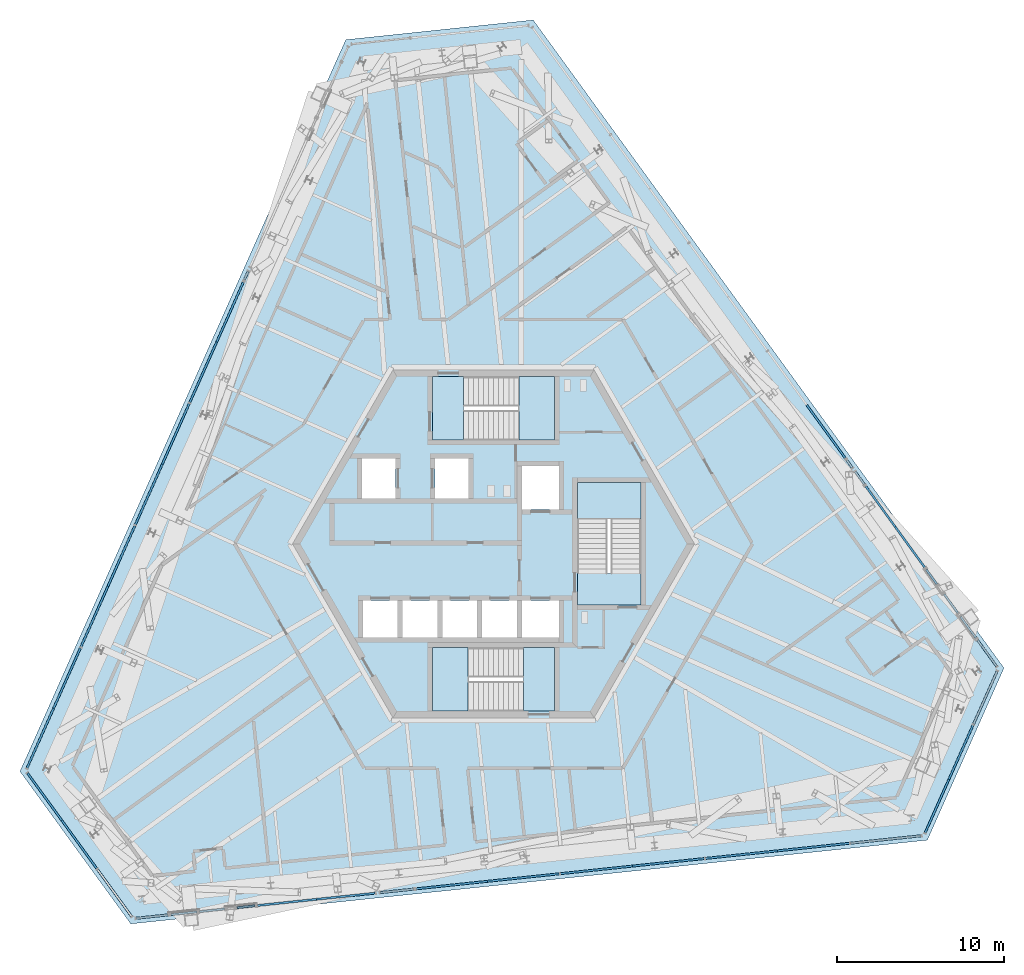
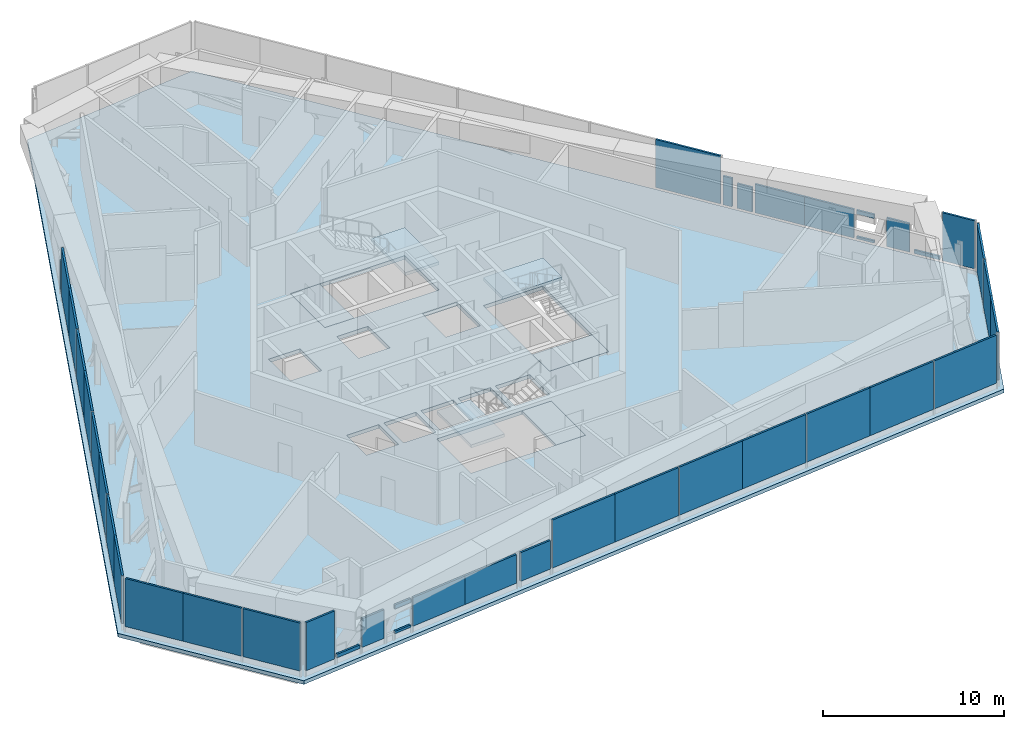
# One storey, part 11 of 23: 40 plates, 7 slabs, 24 elements without a shape of their own.
"""IFC4 building model written with IfcOpenShell, lengths in metres."""

from ifc_helpers import new_model, si_unit, direction, frame, origin, origin_2d, place, context, subcontext, project, spatial, polyline, rectangle, outline, extrude, source, transform, mapped, material, layer, layer_set, type_object, element, aggregate, save


model = new_model("IFC4")

# Units and contexts
model_context = context("Model", 3, precision=1e-05, world=origin(), true_north=direction((0.0, 1.0)))
body_context = subcontext(model_context, "Body", "Model", "MODEL_VIEW")
ifc_project = project(units=[si_unit("LENGTHUNIT", "METRE"), si_unit("AREAUNIT", "SQUARE_METRE"), si_unit("VOLUMEUNIT", "CUBIC_METRE"), si_unit("PLANEANGLEUNIT", "RADIAN"), si_unit("MASSUNIT", "GRAM", prefix="KILO")], contexts=[model_context])

# Site, building, storey
site_placement = place(None, origin())
site = spatial("IfcSite", under=ifc_project, at=site_placement, CompositionType="ELEMENT")
building_placement = place(site_placement, origin())
building = spatial("IfcBuilding", under=site, at=building_placement, Name="Triune Harvest Tower", CompositionType="ELEMENT")
storey_placement = place(building_placement, frame((0.0, 0.0, 255.699951171875)))
storey = spatial("IfcBuildingStorey", under=building, at=storey_placement, Name="L67", CompositionType="ELEMENT", Elevation=255.699951171875)

# Curtain wall, plate
ifc_material_1 = material(Name="Aluminium bronze anodised", Category="aluminium")
curtain_wall_type = type_object("IfcCurtainWallType", Name="CW-5 Plant louvre wall", PredefinedType="NOTDEFINED", material=ifc_material_1)
curtain_wall_1_placement = place(storey_placement, origin())
curtain_wall_1 = element("IfcCurtainWall", 1, at=curtain_wall_1_placement, inside=storey, type_object=curtain_wall_type, Name="CW-5 B6-F1 L67 run 1")
ifc_material_2 = material(Name="Aluminium bronze anodised", Category="aluminium")
ifc_layer_1 = layer(ifc_material_2, 0.1201171875)
ifc_layer_set_1 = layer_set([ifc_layer_1], Name="Aluminium bronze anodised")
plate_type = type_object("IfcPlateType", Name="GL-5 panel 120", PredefinedType="CURTAIN_PANEL", material=ifc_layer_set_1)
plate_1_placement = place(storey_placement, frame((29.468505859375, -6.52783203125, 0.39990234375), z_axis=(0.0, 0.0, 1.0), x_axis=(-0.587768744805, 0.809028987509, 0.0)))
plate_1 = element("IfcPlate", 2, at=plate_1_placement, type_object=plate_type, Name="CW-5 panel B6-F1 1.1", PredefinedType="CURTAIN_PANEL", context=body_context, shape_type="SweptSolid", body=[
    extrude(rectangle(XDim=1.935791015625, YDim=0.1201171875, at=origin_2d()), origin(), (0.0, 0.0, 1.0), 3.239990234375),
])
aggregate(curtain_wall_1, [plate_1])

curtain_wall_2_placement = place(storey_placement, origin())
curtain_wall_2 = element("IfcCurtainWall", 3, at=curtain_wall_2_placement, inside=storey, type_object=curtain_wall_type, Name="CW-5 B6-F1 L67 run 201")
plate_2_placement = place(storey_placement, frame((27.31689453125, -3.56640625, 0.39990234375), z_axis=(0.0, 0.0, 1.0), x_axis=(-0.587776008999, 0.80902370994, 0.0)))
plate_2 = element("IfcPlate", 4, at=plate_2_placement, type_object=plate_type, Name="CW-5 panel B6-F1 201.1", PredefinedType="CURTAIN_PANEL", context=body_context, shape_type="SweptSolid", body=[
    extrude(rectangle(XDim=1.387939453125, YDim=0.1201171875, at=origin_2d()), origin(), (0.0, 0.0, 1.0), 1.929931640625),
])
aggregate(curtain_wall_2, [plate_2])

curtain_wall_3_placement = place(storey_placement, origin())
curtain_wall_3 = element("IfcCurtainWall", 5, at=curtain_wall_3_placement, inside=storey, type_object=curtain_wall_type, Name="CW-5 B6-F1 L67 run 401")
plate_3_placement = place(storey_placement, frame((26.156982421875, -1.969970703125, 0.400146484375), z_axis=(0.0, 0.0, 1.0), x_axis=(-0.587818695077, 0.808992695714, 0.0)))
plate_3 = element("IfcPlate", 6, at=plate_3_placement, type_object=plate_type, Name="CW-5 panel B6-F1 401.1", PredefinedType="CURTAIN_PANEL", context=body_context, shape_type="SweptSolid", body=[
    extrude(rectangle(XDim=1.06982421875, YDim=0.1201171875, at=origin_2d()), origin(), (0.0, 0.0, 1.0), 0.1572265625),
])
aggregate(curtain_wall_3, [plate_3])

curtain_wall_4_placement = place(storey_placement, origin())
curtain_wall_4 = element("IfcCurtainWall", 7, at=curtain_wall_4_placement, inside=storey, type_object=curtain_wall_type, Name="CW-5 B6-F1 L67 run 501")
plate_4_placement = place(storey_placement, frame((26.156982421875, -1.969970703125, 2.06396484375), z_axis=(0.0, 0.0, 1.0), x_axis=(-0.587818695077, 0.808992695714, 0.0)))
plate_4 = element("IfcPlate", 8, at=plate_4_placement, type_object=plate_type, Name="CW-5 panel B6-F1 501.1", PredefinedType="CURTAIN_PANEL", context=body_context, shape_type="SweptSolid", body=[
    extrude(rectangle(XDim=1.06982421875, YDim=0.1201171875, at=origin_2d()), origin(), (0.0, 0.0, 1.0), 0.265869140625),
])
aggregate(curtain_wall_4, [plate_4])

curtain_wall_5_placement = place(storey_placement, origin())
curtain_wall_5 = element("IfcCurtainWall", 9, at=curtain_wall_5_placement, inside=storey, type_object=curtain_wall_type, Name="CW-5 B6-F1 L67 run 701")
plate_5_placement = place(storey_placement, frame((21.866943359375, 3.934814453125, 0.39990234375), z_axis=(0.0, 0.0, 1.0), x_axis=(-0.587759435503, 0.809035750741, 0.0)))
plate_5 = element("IfcPlate", 10, at=plate_5_placement, type_object=plate_type, Name="CW-5 panel B6-F1 701.1", PredefinedType="CURTAIN_PANEL", context=body_context, shape_type="SweptSolid", body=[
    extrude(rectangle(XDim=0.921875, YDim=0.1201171875, at=origin_2d()), origin(), (0.0, 0.0, 1.0), 1.659912109375),
])
aggregate(curtain_wall_5, [plate_5])

curtain_wall_6_placement = place(storey_placement, origin())
curtain_wall_6 = element("IfcCurtainWall", 11, at=curtain_wall_6_placement, inside=storey, type_object=curtain_wall_type, Name="CW-5 B6-F1 L67 run 801")
plate_6_placement = place(storey_placement, frame((21.257080078125, 4.774169921875, 0.39990234375), z_axis=(0.0, 0.0, 1.0), x_axis=(-0.587778566998, 0.809021851483, 0.0)))
plate_6 = element("IfcPlate", 12, at=plate_6_placement, type_object=plate_type, Name="CW-5 panel B6-F1 801.1", PredefinedType="CURTAIN_PANEL", context=body_context, shape_type="SweptSolid", body=[
    extrude(rectangle(XDim=0.551025390625, YDim=0.1201171875, at=origin_2d()), origin(), (0.0, 0.0, 1.0), 1.929931640625),
])
aggregate(curtain_wall_6, [plate_6])

curtain_wall_7_placement = place(storey_placement, origin())
curtain_wall_7 = element("IfcCurtainWall", 13, at=curtain_wall_7_placement, inside=storey, type_object=curtain_wall_type, Name="CW-5 B6-F3 L67 run 701")
plate_7_placement = place(storey_placement, frame((-14.762939453125, 16.02197265625, 0.39990234375), z_axis=(0.0, 0.0, 1.0), x_axis=(-0.406777623651, -0.913527210813, 0.0)))
plate_7 = element("IfcPlate", 14, at=plate_7_placement, type_object=plate_type, Name="CW-5 panel B6-F3 701.1", PredefinedType="CURTAIN_PANEL", context=body_context, shape_type="SweptSolid", body=[
    extrude(rectangle(XDim=0.55126953125, YDim=0.1201171875, at=origin_2d()), origin(), (0.0, 0.0, 1.0), 1.929931640625),
])
aggregate(curtain_wall_7, [plate_7])

curtain_wall_8_placement = place(storey_placement, origin())
curtain_wall_8 = element("IfcCurtainWall", 15, at=curtain_wall_8_placement, inside=storey, type_object=curtain_wall_type, Name="CW-5 B6-F5 L67 run 1")
plate_8_placement = place(storey_placement, frame((-20.387451171875, -22.25634765625, 0.39990234375), z_axis=(0.0, 0.0, 1.0), x_axis=(0.994519302434, 0.104553130445, 0.0)))
plate_8 = element("IfcPlate", 16, at=plate_8_placement, type_object=plate_type, Name="CW-5 panel B6-F5 1.1", PredefinedType="CURTAIN_PANEL", context=body_context, shape_type="SweptSolid", body=[
    extrude(rectangle(XDim=1.935546875, YDim=0.1201171875, at=origin_2d()), origin(), (0.0, 0.0, 1.0), 3.239990234375),
])
aggregate(curtain_wall_8, [plate_8])

curtain_wall_9_placement = place(storey_placement, origin())
curtain_wall_9 = element("IfcCurtainWall", 17, at=curtain_wall_9_placement, inside=storey, type_object=curtain_wall_type, Name="CW-5 B6-F5 L67 run 201")
plate_9_placement = place(storey_placement, frame((-16.80419921875, -21.8798828125, 0.39990234375), z_axis=(0.0, 0.0, 1.0), x_axis=(0.994517637256, 0.104568968563, 0.0)))
plate_9 = element("IfcPlate", 18, at=plate_9_placement, type_object=plate_type, Name="CW-5 panel B6-F5 201.1", PredefinedType="CURTAIN_PANEL", context=body_context, shape_type="SweptSolid", body=[
    extrude(rectangle(XDim=1.5029296875, YDim=0.1201171875, at=origin_2d()), origin(), (0.0, 0.0, 1.0), 1.929931640625),
])
aggregate(curtain_wall_9, [plate_9])

curtain_wall_10_placement = place(storey_placement, origin())
curtain_wall_10 = element("IfcCurtainWall", 19, at=curtain_wall_10_placement, inside=storey, type_object=curtain_wall_type, Name="CW-5 B6-F5 L67 run 401")
plate_10_placement = place(storey_placement, frame((-14.78466796875, -21.66748046875, 0.39990234375), z_axis=(0.0, 0.0, 1.0), x_axis=(0.994526373635, 0.104485846627, 0.0)))
plate_10 = element("IfcPlate", 20, at=plate_10_placement, type_object=plate_type, Name="CW-5 panel B6-F5 401.1", PredefinedType="CURTAIN_PANEL", context=body_context, shape_type="SweptSolid", body=[
    extrude(rectangle(XDim=1.06982421875, YDim=0.1201171875, at=origin_2d()), origin(), (0.0, 0.0, 1.0), 0.156982421875),
])
aggregate(curtain_wall_10, [plate_10])

curtain_wall_11_placement = place(storey_placement, origin())
curtain_wall_11 = element("IfcCurtainWall", 21, at=curtain_wall_11_placement, inside=storey, type_object=curtain_wall_type, Name="CW-5 B6-F5 L67 run 501")
plate_11_placement = place(storey_placement, frame((-14.78466796875, -21.66748046875, 2.06396484375), z_axis=(0.0, 0.0, 1.0), x_axis=(0.994526373635, 0.104485846627, 0.0)))
plate_11 = element("IfcPlate", 22, at=plate_11_placement, type_object=plate_type, Name="CW-5 panel B6-F5 501.1", PredefinedType="CURTAIN_PANEL", context=body_context, shape_type="SweptSolid", body=[
    extrude(rectangle(XDim=1.06982421875, YDim=0.1201171875, at=origin_2d()), origin(), (0.0, 0.0, 1.0), 0.26611328125),
])
aggregate(curtain_wall_11, [plate_11])

curtain_wall_12_placement = place(storey_placement, origin())
curtain_wall_12 = element("IfcCurtainWall", 23, at=curtain_wall_12_placement, inside=storey, type_object=curtain_wall_type, Name="CW-5 B6-F5 L67 run 701")
plate_12_placement = place(storey_placement, frame((-5.772216796875, -20.72021484375, 0.39990234375), z_axis=(0.0, 0.0, 1.0), x_axis=(0.994524187104, 0.104506656562, 0.0)))
plate_12 = element("IfcPlate", 24, at=plate_12_placement, type_object=plate_type, Name="CW-5 panel B6-F5 701.1", PredefinedType="CURTAIN_PANEL", context=body_context, shape_type="SweptSolid", body=[
    extrude(rectangle(XDim=2.00244140625, YDim=0.1201171875, at=origin_2d()), origin(), (0.0, 0.0, 1.0), 1.929931640625),
])
aggregate(curtain_wall_12, [plate_12])

# Curtain wall, plates
curtain_wall_13_placement = place(storey_placement, origin())
curtain_wall_13 = element("IfcCurtainWall", 25, at=curtain_wall_13_placement, inside=storey, type_object=curtain_wall_type, Name="CW-5 B6-F5 L67 run 801")
plate_13_placement = place(storey_placement, frame((-2.4921875, -20.37548828125, 0.39990234375), z_axis=(0.0, 0.0, 1.0), x_axis=(0.994521694805, 0.104530371484, 0.0)))
plate_13 = element("IfcPlate", 26, at=plate_13_placement, type_object=plate_type, Name="CW-5 panel B6-F5 801.1", PredefinedType="CURTAIN_PANEL", context=body_context, shape_type="SweptSolid", body=[
    extrude(rectangle(XDim=4.273681640625, YDim=0.1201171875, at=origin_2d()), origin(), (0.0, 0.0, 1.0), 3.239990234375),
])
plate_14_placement = place(storey_placement, frame((23.4267578125, -17.6513671875, 0.39990234375), z_axis=(0.0, 0.0, 1.0), x_axis=(0.994521694805, 0.104530371484, 0.0)))
plate_14 = element("IfcPlate", 27, at=plate_14_placement, type_object=plate_type, Name="CW-5 panel B6-F5 801.7", PredefinedType="CURTAIN_PANEL", context=body_context, shape_type="SweptSolid", body=[
    extrude(rectangle(XDim=4.233642578125, YDim=0.1201171875, at=origin_2d()), origin(), (0.0, 0.0, 1.0), 3.239990234375),
])

# Slab
ifc_material_3 = material(Name="Concrete 40 MPa", Category="concrete")
ifc_layer_2 = layer(ifc_material_3, 0.25)
ifc_layer_set_2 = layer_set([ifc_layer_2], Name="Concrete 40 MPa")
slab_type_1 = type_object("IfcSlabType", Name="SL-4 Composite floor slab 250", PredefinedType="FLOOR", material=ifc_layer_set_2)
slab_1_placement = place(storey_placement, frame((0.0, 0.0, -0.25)))
element("IfcSlab", 28, at=slab_1_placement, inside=storey, type_object=slab_type_1, Name="slab/L67/1", PredefinedType="FLOOR", context=body_context, shape_type="SweptSolid", body=[
    extrude(outline(polyline([(30.481689453125, -7.412109375), (2.3701171875, 31.280517578125), (-8.82177734375, 30.10400390625), (-28.274658203125, -13.587646484375), (-21.659912109375, -22.69189453125), (25.904541015625, -17.692626953125), (30.481689453125, -7.412109375)]), holes=[polyline([(-5.72509765625, -5.590087890625), (-5.72509765625, -3.389892578125), (-7.800048828125, -3.389892578125), (-7.800048828125, -5.590087890625), (-5.72509765625, -5.590087890625)]), polyline([(-3.35009765625, -5.590087890625), (-3.35009765625, -3.389892578125), (-5.425048828125, -3.389892578125), (-5.425048828125, -5.590087890625), (-3.35009765625, -5.590087890625)]), polyline([(-0.97509765625, -5.590087890625), (-0.97509765625, -3.389892578125), (-3.050048828125, -3.389892578125), (-3.050048828125, -5.590087890625), (-0.97509765625, -5.590087890625)]), polyline([(1.39990234375, -5.590087890625), (1.39990234375, -3.389892578125), (-0.675048828125, -3.389892578125), (-0.675048828125, -5.590087890625), (1.39990234375, -5.590087890625)]), polyline([(3.89990234375, 2.06005859375), (3.89990234375, 4.659912109375), (1.699951171875, 4.659912109375), (1.699951171875, 2.06005859375), (3.89990234375, 2.06005859375)]), polyline([(3.89990234375, -5.590087890625), (3.89990234375, -3.389892578125), (1.699951171875, -3.389892578125), (1.699951171875, -5.590087890625), (3.89990234375, -5.590087890625)]), polyline([(-5.85009765625, 2.7099609375), (-5.85009765625, 5.110107421875), (-7.85009765625, 5.110107421875), (-7.85009765625, 2.7099609375), (-5.85009765625, 2.7099609375)]), polyline([(-1.5, 2.7099609375), (-1.5, 5.110107421875), (-3.5, 5.110107421875), (-3.5, 2.7099609375), (-1.5, 2.7099609375)]), polyline([(3.64990234375, 6.18994140625), (3.64990234375, 9.989990234375), (-3.64990234375, 9.989990234375), (-3.64990234375, 6.18994140625), (3.64990234375, 6.18994140625)]), polyline([(3.64990234375, -9.989990234375), (3.64990234375, -6.18994140625), (-3.64990234375, -6.18994140625), (-3.64990234375, -9.989990234375), (3.64990234375, -9.989990234375)]), polyline([(8.800048828125, -3.64990234375), (8.800048828125, 3.64990234375), (5.0, 3.64990234375), (5.0, -3.64990234375), (8.800048828125, -3.64990234375)])]), origin(), (0.0, 0.0, 1.0), 0.25),
])

# Stair, slabs
ifc_material_4 = material(Name="Concrete 40 MPa", Category="concrete")
stair_type = type_object("IfcStairType", Name="Exit stair 1800 half turn", PredefinedType="HALF_TURN_STAIR", material=ifc_material_4)
stair_1_placement = place(storey_placement, origin())
stair_1 = element("IfcStair", 29, at=stair_1_placement, inside=storey, type_object=stair_type, Name="Exit stair north", PredefinedType="HALF_TURN_STAIR")
ifc_material_5 = material(Name="Concrete 40 MPa", Category="concrete")
ifc_layer_3 = layer(ifc_material_5, 0.199951171875)
ifc_layer_set_3 = layer_set([ifc_layer_3], Name="Concrete 40 MPa")
slab_type_2 = type_object("IfcSlabType", Name="Stair landing 200", PredefinedType="LANDING", material=ifc_layer_set_3)
shared_shape_1 = source(origin(), body_context, "Body", "SweptSolid", [
    extrude(outline(polyline([(-3.64990234375, 6.18994140625), (-1.780029296875, 6.18994140625), (-1.780029296875, 9.989990234375), (-3.64990234375, 9.989990234375), (-3.64990234375, 6.18994140625)])), origin(), (0.0, 0.0, 1.0), 0.199951171875),
])
slab_2_placement = place(storey_placement, frame((0.0, 0.0, -0.199951171875)))
slab_2 = element("IfcSlab", 30, at=slab_2_placement, type_object=slab_type_2, Name="ST-1 landing 1", PredefinedType="LANDING", context=body_context, shape_type="MappedRepresentation", body=[
    mapped(shared_shape_1, transform((0.0, 0.0, 0.0), scale=1.0)),
])
shared_shape_2 = source(origin(), body_context, "Body", "SweptSolid", [
    extrude(outline(polyline([(1.510009765625, 6.18994140625), (3.64990234375, 6.18994140625), (3.64990234375, 9.989990234375), (1.510009765625, 9.989990234375), (1.510009765625, 6.18994140625)])), origin(), (0.0, 0.0, 1.0), 0.2001953125),
])
slab_3_placement = place(storey_placement, frame((0.0, 0.0, 1.699951171875)))
slab_3 = element("IfcSlab", 31, at=slab_3_placement, type_object=slab_type_2, Name="ST-1 landing 2", PredefinedType="LANDING", context=body_context, shape_type="MappedRepresentation", body=[
    mapped(shared_shape_2, transform((0.0, 0.0, 0.0), scale=1.0)),
])
aggregate(stair_1, [slab_2, slab_3])

stair_2_placement = place(storey_placement, origin())
stair_2 = element("IfcStair", 32, at=stair_2_placement, inside=storey, type_object=stair_type, Name="Exit stair south", PredefinedType="HALF_TURN_STAIR")
shared_shape_3 = source(origin(), body_context, "Body", "SweptSolid", [
    extrude(outline(polyline([(3.64990234375, -6.18994140625), (1.780029296875, -6.18994140625), (1.780029296875, -9.989990234375), (3.64990234375, -9.989990234375), (3.64990234375, -6.18994140625)])), origin(), (0.0, 0.0, 1.0), 0.199951171875),
])
slab_4_placement = place(storey_placement, frame((0.0, 0.0, -0.199951171875)))
slab_4 = element("IfcSlab", 33, at=slab_4_placement, type_object=slab_type_2, Name="ST-2 landing 1", PredefinedType="LANDING", context=body_context, shape_type="MappedRepresentation", body=[
    mapped(shared_shape_3, transform((0.0, 0.0, 0.0), scale=1.0)),
])
shared_shape_4 = source(origin(), body_context, "Body", "SweptSolid", [
    extrude(outline(polyline([(-1.510009765625, -6.18994140625), (-3.64990234375, -6.18994140625), (-3.64990234375, -9.989990234375), (-1.510009765625, -9.989990234375), (-1.510009765625, -6.18994140625)])), origin(), (0.0, 0.0, 1.0), 0.2001953125),
])
slab_5_placement = place(storey_placement, frame((0.0, 0.0, 1.699951171875)))
slab_5 = element("IfcSlab", 34, at=slab_5_placement, type_object=slab_type_2, Name="ST-2 landing 2", PredefinedType="LANDING", context=body_context, shape_type="MappedRepresentation", body=[
    mapped(shared_shape_4, transform((0.0, 0.0, 0.0), scale=1.0)),
])
aggregate(stair_2, [slab_4, slab_5])

stair_3_placement = place(storey_placement, origin())
stair_3 = element("IfcStair", 35, at=stair_3_placement, inside=storey, type_object=stair_type, Name="Exit stair east", PredefinedType="HALF_TURN_STAIR")
shared_shape_5 = source(origin(), body_context, "Body", "SweptSolid", [
    extrude(outline(polyline([(8.800048828125, -3.64990234375), (8.800048828125, -1.780029296875), (5.0, -1.780029296875), (5.0, -3.64990234375), (8.800048828125, -3.64990234375)])), origin(), (0.0, 0.0, 1.0), 0.199951171875),
])
slab_6_placement = place(storey_placement, frame((0.0, 0.0, -0.199951171875)))
slab_6 = element("IfcSlab", 36, at=slab_6_placement, type_object=slab_type_2, Name="ST-3 landing 1", PredefinedType="LANDING", context=body_context, shape_type="MappedRepresentation", body=[
    mapped(shared_shape_5, transform((0.0, 0.0, 0.0), scale=1.0)),
])
shared_shape_6 = source(origin(), body_context, "Body", "SweptSolid", [
    extrude(outline(polyline([(8.800048828125, 1.510009765625), (8.800048828125, 3.64990234375), (5.0, 3.64990234375), (5.0, 1.510009765625), (8.800048828125, 1.510009765625)])), origin(), (0.0, 0.0, 1.0), 0.2001953125),
])
slab_7_placement = place(storey_placement, frame((0.0, 0.0, 1.699951171875)))
slab_7 = element("IfcSlab", 37, at=slab_7_placement, type_object=slab_type_2, Name="ST-3 landing 2", PredefinedType="LANDING", context=body_context, shape_type="MappedRepresentation", body=[
    mapped(shared_shape_6, transform((0.0, 0.0, 0.0), scale=1.0)),
])
aggregate(stair_3, [slab_6, slab_7])

# Curtain wall, plate
curtain_wall_14_placement = place(storey_placement, origin())
curtain_wall_14 = element("IfcCurtainWall", 38, at=curtain_wall_14_placement, inside=storey, type_object=curtain_wall_type, Name="CW-5 B6-F1 L67 run 101")
shared_shape_7 = source(origin(), body_context, "Body", "SweptSolid", [
    extrude(rectangle(XDim=1.563720703125, YDim=0.1201171875, at=origin_2d()), origin(), (0.0, 0.0, 1.0), 0.240478515625),
])
plate_15_placement = place(storey_placement, frame((28.345947265625, -4.98291015625, 0.39990234375), z_axis=(0.0, 0.0, 1.0), x_axis=(-0.587799090523, 0.809006940131, 0.0)))
plate_15 = element("IfcPlate", 39, at=plate_15_placement, type_object=plate_type, Name="CW-5 panel B6-F1 101.1", PredefinedType="CURTAIN_PANEL", context=body_context, shape_type="MappedRepresentation", body=[
    mapped(shared_shape_7, transform((0.0, 0.0, 0.0), scale=1.0)),
])
aggregate(curtain_wall_14, [plate_15])

curtain_wall_15_placement = place(storey_placement, origin())
curtain_wall_15 = element("IfcCurtainWall", 40, at=curtain_wall_15_placement, inside=storey, type_object=curtain_wall_type, Name="CW-5 B6-F5 L67 run 101")
plate_16_placement = place(storey_placement, frame((-18.48828125, -22.056884765625, 0.39990234375), z_axis=(0.0, 0.0, 1.0), x_axis=(0.994527363729, 0.104476422192, 0.0)))
plate_16 = element("IfcPlate", 41, at=plate_16_placement, type_object=plate_type, Name="CW-5 panel B6-F5 101.1", PredefinedType="CURTAIN_PANEL", context=body_context, shape_type="MappedRepresentation", body=[
    mapped(shared_shape_7, transform((0.0, 0.0, 0.0), scale=1.0)),
])
aggregate(curtain_wall_15, [plate_16])

# Curtain wall, plates
curtain_wall_16_placement = place(storey_placement, origin())
curtain_wall_16 = element("IfcCurtainWall", 42, at=curtain_wall_16_placement, inside=storey, type_object=curtain_wall_type, Name="CW-5 B6-F1 L67 run 601")
shared_shape_8 = source(origin(), body_context, "Body", "SweptSolid", [
    extrude(rectangle(XDim=2.991455078125, YDim=0.1201171875, at=origin_2d()), origin(), (0.0, 0.0, 1.0), 1.929931640625),
])
plate_17_placement = place(storey_placement, frame((24.869384765625, -0.19775390625, 0.39990234375), z_axis=(0.0, 0.0, 1.0), x_axis=(-0.587788336155, 0.809014753809, 0.0)))
plate_17 = element("IfcPlate", 43, at=plate_17_placement, type_object=plate_type, Name="CW-5 panel B6-F1 601.1", PredefinedType="CURTAIN_PANEL", context=body_context, shape_type="MappedRepresentation", body=[
    mapped(shared_shape_8, transform((0.0, 0.0, 0.0), scale=1.0)),
])
plate_18_placement = place(storey_placement, frame((23.111083984375, 2.222412109375, 0.39990234375), z_axis=(0.0, 0.0, 1.0), x_axis=(-0.587788336155, 0.809014753809, 0.0)))
plate_18 = element("IfcPlate", 44, at=plate_18_placement, type_object=plate_type, Name="CW-5 panel B6-F1 601.2", PredefinedType="CURTAIN_PANEL", context=body_context, shape_type="MappedRepresentation", body=[
    mapped(shared_shape_8, transform((0.0, 0.0, 0.0), scale=1.0)),
])
aggregate(curtain_wall_16, [plate_17, plate_18])

# Curtain wall, plate
curtain_wall_17_placement = place(storey_placement, origin())
curtain_wall_17 = element("IfcCurtainWall", 45, at=curtain_wall_17_placement, inside=storey, type_object=curtain_wall_type, Name="CW-5 B6-F1 L67 run 901")
shared_shape_9 = source(origin(), body_context, "Body", "SweptSolid", [
    extrude(rectangle(XDim=3.910888671875, YDim=0.1201171875, at=origin_2d()), origin(), (0.0, 0.0, 1.0), 3.239990234375),
])
plate_19_placement = place(storey_placement, frame((19.851806640625, 6.70849609375, 0.39990234375), z_axis=(0.0, 0.0, 1.0), x_axis=(-0.587786122057, 0.809016362454, 0.0)))
plate_19 = element("IfcPlate", 46, at=plate_19_placement, type_object=plate_type, Name="CW-5 panel B6-F1 901.1", PredefinedType="CURTAIN_PANEL", context=body_context, shape_type="MappedRepresentation", body=[
    mapped(shared_shape_9, transform((0.0, 0.0, 0.0), scale=1.0)),
])
aggregate(curtain_wall_17, [plate_19])

# Curtain wall, plates
curtain_wall_18_placement = place(storey_placement, origin())
curtain_wall_18 = element("IfcCurtainWall", 47, at=curtain_wall_18_placement, inside=storey, type_object=curtain_wall_type, Name="CW-5 B6-F3 L67 run 801")
plate_20_placement = place(storey_placement, frame((-15.735595703125, 13.837646484375, 0.39990234375), z_axis=(0.0, 0.0, 1.0), x_axis=(-0.406737624627, -0.913545020627, 0.0)))
plate_20 = element("IfcPlate", 48, at=plate_20_placement, type_object=plate_type, Name="CW-5 panel B6-F3 801.1", PredefinedType="CURTAIN_PANEL", context=body_context, shape_type="MappedRepresentation", body=[
    mapped(shared_shape_9, transform((0.0, 0.0, 0.0), scale=1.0)),
])
plate_21_placement = place(storey_placement, frame((-27.065673828125, -11.60986328125, 0.39990234375), z_axis=(0.0, 0.0, 1.0), x_axis=(-0.406737624627, -0.913545020627, 0.0)))
plate_21 = element("IfcPlate", 49, at=plate_21_placement, type_object=plate_type, Name="CW-5 panel B6-F3 801.8", PredefinedType="CURTAIN_PANEL", context=body_context, shape_type="MappedRepresentation", body=[
    mapped(shared_shape_9, transform((0.0, 0.0, 0.0), scale=1.0)),
])
shared_shape_10 = source(origin(), body_context, "Body", "SweptSolid", [
    extrude(rectangle(XDim=3.950927734375, YDim=0.1201171875, at=origin_2d()), origin(), (0.0, 0.0, 1.0), 3.239990234375),
])
plate_22_placement = place(storey_placement, frame((-17.33447265625, 10.246826171875, 0.39990234375), z_axis=(0.0, 0.0, 1.0), x_axis=(-0.406737624627, -0.913545020627, 0.0)))
plate_22 = element("IfcPlate", 50, at=plate_22_placement, type_object=plate_type, Name="CW-5 panel B6-F3 801.2", PredefinedType="CURTAIN_PANEL", context=body_context, shape_type="MappedRepresentation", body=[
    mapped(shared_shape_10, transform((0.0, 0.0, 0.0), scale=1.0)),
])
plate_23_placement = place(storey_placement, frame((-18.973876953125, 6.564453125, 0.39990234375), z_axis=(0.0, 0.0, 1.0), x_axis=(-0.406737624627, -0.913545020627, 0.0)))
plate_23 = element("IfcPlate", 51, at=plate_23_placement, type_object=plate_type, Name="CW-5 panel B6-F3 801.3", PredefinedType="CURTAIN_PANEL", context=body_context, shape_type="MappedRepresentation", body=[
    mapped(shared_shape_10, transform((0.0, 0.0, 0.0), scale=1.0)),
])
plate_24_placement = place(storey_placement, frame((-20.580810546875, 2.955078125, 0.39990234375), z_axis=(0.0, 0.0, 1.0), x_axis=(-0.406737624627, -0.913545020627, 0.0)))
plate_24 = element("IfcPlate", 52, at=plate_24_placement, type_object=plate_type, Name="CW-5 panel B6-F3 801.4", PredefinedType="CURTAIN_PANEL", context=body_context, shape_type="MappedRepresentation", body=[
    mapped(shared_shape_10, transform((0.0, 0.0, 0.0), scale=1.0)),
])
plate_25_placement = place(storey_placement, frame((-22.220458984375, -0.727294921875, 0.39990234375), z_axis=(0.0, 0.0, 1.0), x_axis=(-0.406737624627, -0.913545020627, 0.0)))
plate_25 = element("IfcPlate", 53, at=plate_25_placement, type_object=plate_type, Name="CW-5 panel B6-F3 801.5", PredefinedType="CURTAIN_PANEL", context=body_context, shape_type="MappedRepresentation", body=[
    mapped(shared_shape_10, transform((0.0, 0.0, 0.0), scale=1.0)),
])
plate_26_placement = place(storey_placement, frame((-23.827392578125, -4.33642578125, 0.39990234375), z_axis=(0.0, 0.0, 1.0), x_axis=(-0.406737624627, -0.913545020627, 0.0)))
plate_26 = element("IfcPlate", 54, at=plate_26_placement, type_object=plate_type, Name="CW-5 panel B6-F3 801.6", PredefinedType="CURTAIN_PANEL", context=body_context, shape_type="MappedRepresentation", body=[
    mapped(shared_shape_10, transform((0.0, 0.0, 0.0), scale=1.0)),
])
plate_27_placement = place(storey_placement, frame((-25.466796875, -8.018798828125, 0.39990234375), z_axis=(0.0, 0.0, 1.0), x_axis=(-0.406737624627, -0.913545020627, 0.0)))
plate_27 = element("IfcPlate", 55, at=plate_27_placement, type_object=plate_type, Name="CW-5 panel B6-F3 801.7", PredefinedType="CURTAIN_PANEL", context=body_context, shape_type="MappedRepresentation", body=[
    mapped(shared_shape_10, transform((0.0, 0.0, 0.0), scale=1.0)),
])
aggregate(curtain_wall_18, [plate_20, plate_22, plate_23, plate_24, plate_25, plate_26, plate_27, plate_21])

# Curtain wall, plate
curtain_wall_19_placement = place(storey_placement, origin())
curtain_wall_19 = element("IfcCurtainWall", 56, at=curtain_wall_19_placement, inside=storey, type_object=curtain_wall_type, Name="CW-5 B6-F4 L67 run 1")
shared_shape_11 = source(origin(), body_context, "Body", "SweptSolid", [
    extrude(rectangle(XDim=3.49560546875, YDim=0.1201171875, at=origin_2d()), origin(), (0.0, 0.0, 1.0), 3.239990234375),
])
plate_28_placement = place(storey_placement, frame((-26.802734375, -15.10302734375, 0.39990234375), z_axis=(0.0, 0.0, 1.0), x_axis=(0.587788936013, -0.809014317982, 0.0)))
plate_28 = element("IfcPlate", 57, at=plate_28_placement, type_object=plate_type, Name="CW-5 panel B6-F4 1.1", PredefinedType="CURTAIN_PANEL", context=body_context, shape_type="MappedRepresentation", body=[
    mapped(shared_shape_11, transform((0.0, 0.0, 0.0), scale=1.0)),
])

curtain_wall_20_placement = place(storey_placement, origin())
curtain_wall_20 = element("IfcCurtainWall", 58, at=curtain_wall_20_placement, inside=storey, type_object=curtain_wall_type, Name="CW-5 B6-F6 L67 run 1")
plate_29_placement = place(storey_placement, frame((26.48095703125, -15.660400390625, 0.39990234375), z_axis=(0.0, 0.0, 1.0), x_axis=(0.406743216086, 0.913542531121, 0.0)))
plate_29 = element("IfcPlate", 59, at=plate_29_placement, type_object=plate_type, Name="CW-5 panel B6-F6 1.1", PredefinedType="CURTAIN_PANEL", context=body_context, shape_type="MappedRepresentation", body=[
    mapped(shared_shape_11, transform((0.0, 0.0, 0.0), scale=1.0)),
])

# Plate
shared_shape_12 = source(origin(), body_context, "Body", "SweptSolid", [
    extrude(rectangle(XDim=3.53564453125, YDim=0.1201171875, at=origin_2d()), origin(), (0.0, 0.0, 1.0), 3.239990234375),
])
plate_30_placement = place(storey_placement, frame((-24.736328125, -17.947265625, 0.39990234375), z_axis=(0.0, 0.0, 1.0), x_axis=(0.587788936013, -0.809014317982, 0.0)))
plate_30 = element("IfcPlate", 60, at=plate_30_placement, type_object=plate_type, Name="CW-5 panel B6-F4 1.2", PredefinedType="CURTAIN_PANEL", context=body_context, shape_type="MappedRepresentation", body=[
    mapped(shared_shape_12, transform((0.0, 0.0, 0.0), scale=1.0)),
])

plate_31_placement = place(storey_placement, frame((27.9111328125, -12.44873046875, 0.39990234375), z_axis=(0.0, 0.0, 1.0), x_axis=(0.406743216086, 0.913542531121, 0.0)))
plate_31 = element("IfcPlate", 61, at=plate_31_placement, type_object=plate_type, Name="CW-5 panel B6-F6 1.2", PredefinedType="CURTAIN_PANEL", context=body_context, shape_type="MappedRepresentation", body=[
    mapped(shared_shape_12, transform((0.0, 0.0, 0.0), scale=1.0)),
])

shared_shape_13 = source(origin(), body_context, "Body", "SweptSolid", [
    extrude(rectangle(XDim=3.45556640625, YDim=0.1201171875, at=origin_2d()), origin(), (0.0, 0.0, 1.0), 3.239990234375),
])
plate_32_placement = place(storey_placement, frame((-22.634521484375, -20.840087890625, 0.39990234375), z_axis=(0.0, 0.0, 1.0), x_axis=(0.587788936013, -0.809014317982, 0.0)))
plate_32 = element("IfcPlate", 62, at=plate_32_placement, type_object=plate_type, Name="CW-5 panel B6-F4 1.3", PredefinedType="CURTAIN_PANEL", context=body_context, shape_type="MappedRepresentation", body=[
    mapped(shared_shape_13, transform((0.0, 0.0, 0.0), scale=1.0)),
])

aggregate(curtain_wall_19, [plate_28, plate_30, plate_32])

plate_33_placement = place(storey_placement, frame((29.365478515625, -9.18212890625, 0.39990234375), z_axis=(0.0, 0.0, 1.0), x_axis=(0.406743216086, 0.913542531121, 0.0)))
plate_33 = element("IfcPlate", 63, at=plate_33_placement, type_object=plate_type, Name="CW-5 panel B6-F6 1.3", PredefinedType="CURTAIN_PANEL", context=body_context, shape_type="MappedRepresentation", body=[
    mapped(shared_shape_13, transform((0.0, 0.0, 0.0), scale=1.0)),
])

aggregate(curtain_wall_20, [plate_29, plate_31, plate_33])

# Curtain wall, plates
curtain_wall_21_placement = place(storey_placement, origin())
curtain_wall_21 = element("IfcCurtainWall", 64, at=curtain_wall_21_placement, inside=storey, type_object=curtain_wall_type, Name="CW-5 B6-F5 L67 run 601")
shared_shape_14 = source(origin(), body_context, "Body", "SweptSolid", [
    extrude(rectangle(XDim=3.5322265625, YDim=0.1201171875, at=origin_2d()), origin(), (0.0, 0.0, 1.0), 1.929931640625),
])
plate_34_placement = place(storey_placement, frame((-12.3369140625, -21.410400390625, 0.39990234375), z_axis=(0.0, 0.0, 1.0), x_axis=(0.994521368991, 0.104533471287, 0.0)))
plate_34 = element("IfcPlate", 65, at=plate_34_placement, type_object=plate_type, Name="CW-5 panel B6-F5 601.1", PredefinedType="CURTAIN_PANEL", context=body_context, shape_type="MappedRepresentation", body=[
    mapped(shared_shape_14, transform((0.0, 0.0, 0.0), scale=1.0)),
])
plate_35_placement = place(storey_placement, frame((-8.82421875, -21.041015625, 0.39990234375), z_axis=(0.0, 0.0, 1.0), x_axis=(0.994521368991, 0.104533471287, 0.0)))
plate_35 = element("IfcPlate", 66, at=plate_35_placement, type_object=plate_type, Name="CW-5 panel B6-F5 601.2", PredefinedType="CURTAIN_PANEL", context=body_context, shape_type="MappedRepresentation", body=[
    mapped(shared_shape_14, transform((0.0, 0.0, 0.0), scale=1.0)),
])
aggregate(curtain_wall_21, [plate_34, plate_35])

# Plate
shared_shape_15 = source(origin(), body_context, "Body", "SweptSolid", [
    extrude(rectangle(XDim=4.313720703125, YDim=0.1201171875, at=origin_2d()), origin(), (0.0, 0.0, 1.0), 3.239990234375),
])
plate_36_placement = place(storey_placement, frame((1.77783203125, -19.9267578125, 0.39990234375), z_axis=(0.0, 0.0, 1.0), x_axis=(0.994521694805, 0.104530371484, 0.0)))
plate_36 = element("IfcPlate", 67, at=plate_36_placement, type_object=plate_type, Name="CW-5 panel B6-F5 801.2", PredefinedType="CURTAIN_PANEL", context=body_context, shape_type="MappedRepresentation", body=[
    mapped(shared_shape_15, transform((0.0, 0.0, 0.0), scale=1.0)),
])

plate_37_placement = place(storey_placement, frame((6.1474609375, -19.467529296875, 0.39990234375), z_axis=(0.0, 0.0, 1.0), x_axis=(0.994521694805, 0.104530371484, 0.0)))
plate_37 = element("IfcPlate", 68, at=plate_37_placement, type_object=plate_type, Name="CW-5 panel B6-F5 801.3", PredefinedType="CURTAIN_PANEL", context=body_context, shape_type="MappedRepresentation", body=[
    mapped(shared_shape_15, transform((0.0, 0.0, 0.0), scale=1.0)),
])

plate_38_placement = place(storey_placement, frame((10.4375, -19.0166015625, 0.39990234375), z_axis=(0.0, 0.0, 1.0), x_axis=(0.994521694805, 0.104530371484, 0.0)))
plate_38 = element("IfcPlate", 69, at=plate_38_placement, type_object=plate_type, Name="CW-5 panel B6-F5 801.4", PredefinedType="CURTAIN_PANEL", context=body_context, shape_type="MappedRepresentation", body=[
    mapped(shared_shape_15, transform((0.0, 0.0, 0.0), scale=1.0)),
])

plate_39_placement = place(storey_placement, frame((14.806884765625, -18.557373046875, 0.39990234375), z_axis=(0.0, 0.0, 1.0), x_axis=(0.994521694805, 0.104530371484, 0.0)))
plate_39 = element("IfcPlate", 70, at=plate_39_placement, type_object=plate_type, Name="CW-5 panel B6-F5 801.5", PredefinedType="CURTAIN_PANEL", context=body_context, shape_type="MappedRepresentation", body=[
    mapped(shared_shape_15, transform((0.0, 0.0, 0.0), scale=1.0)),
])

plate_40_placement = place(storey_placement, frame((19.096923828125, -18.1064453125, 0.39990234375), z_axis=(0.0, 0.0, 1.0), x_axis=(0.994521694805, 0.104530371484, 0.0)))
plate_40 = element("IfcPlate", 71, at=plate_40_placement, type_object=plate_type, Name="CW-5 panel B6-F5 801.6", PredefinedType="CURTAIN_PANEL", context=body_context, shape_type="MappedRepresentation", body=[
    mapped(shared_shape_15, transform((0.0, 0.0, 0.0), scale=1.0)),
])

aggregate(curtain_wall_13, [plate_13, plate_36, plate_37, plate_38, plate_39, plate_40, plate_14])

save(model, "model.ifc")
